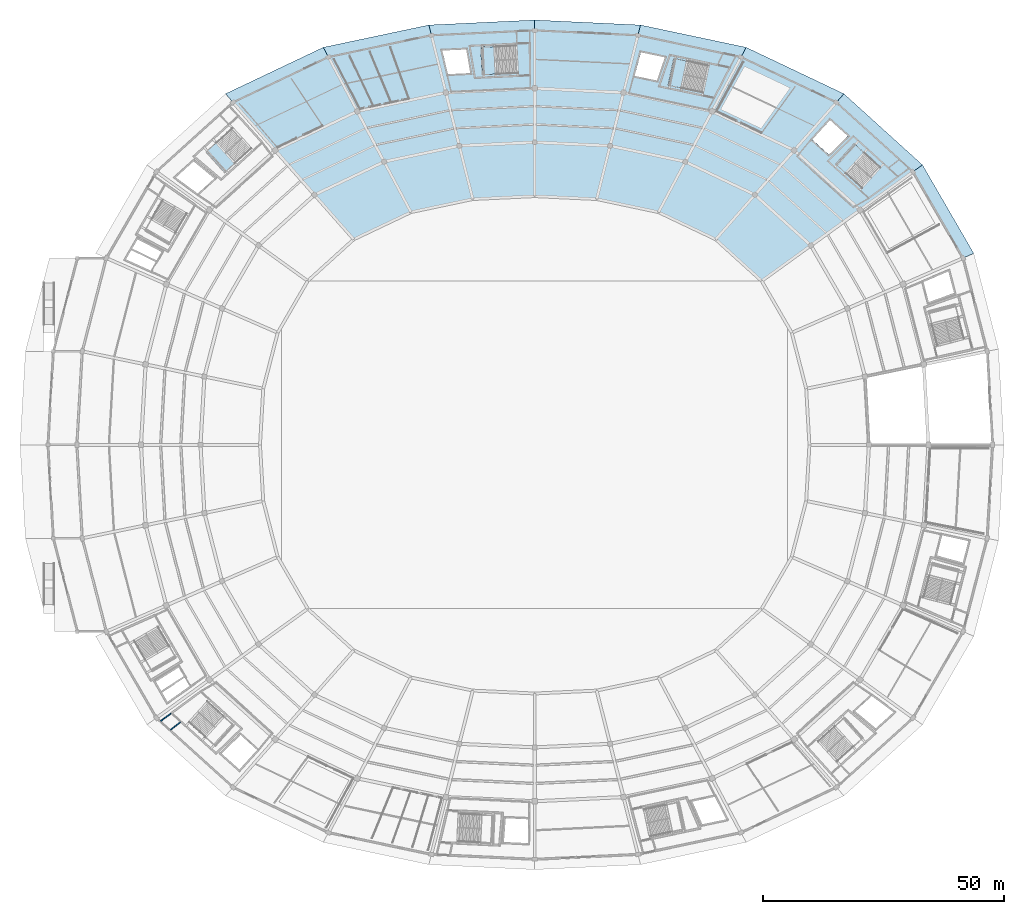
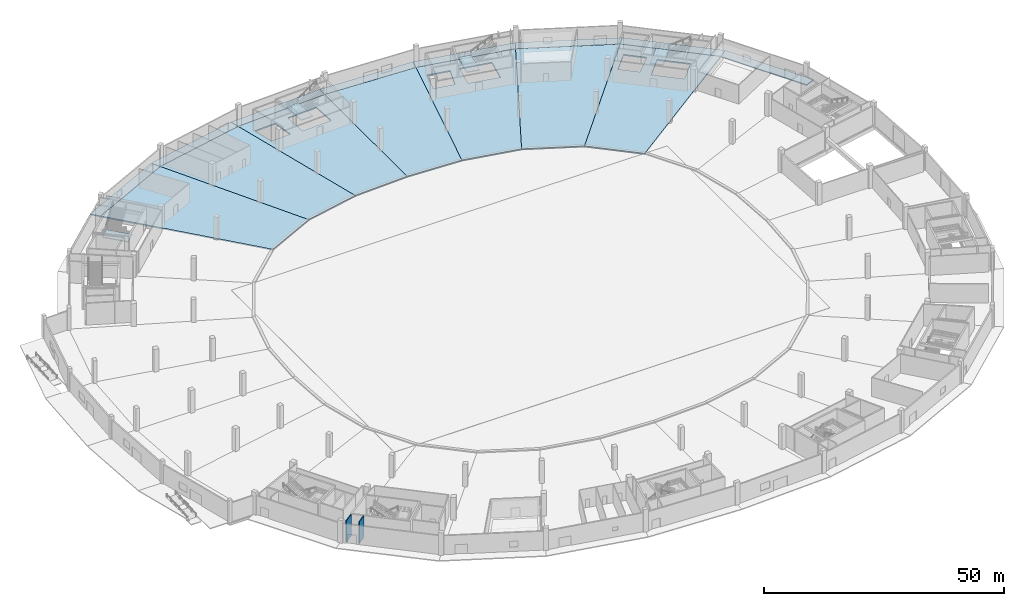
# One storey, part 8 of 48: 19 slabs, 2 walls, 4 elements without a shape of their own.
"""IFC4 building model written with IfcOpenShell, lengths in metres."""

from ifc_helpers import new_model, si_unit, direction, frame, frame_2d, origin, place, context, subcontext, project, spatial, polyline, rectangle, outline, extrude, material, layer, layer_set, type_object, element, aggregate, save


model = new_model("IFC4")

# Units and contexts
model_context = context("Model", 3, precision=1e-05, world=origin(), true_north=direction((0.0, 1.0)))
body_context = subcontext(model_context, "Body", "Model", "MODEL_VIEW")
ifc_project = project(units=[si_unit("LENGTHUNIT", "METRE"), si_unit("AREAUNIT", "SQUARE_METRE"), si_unit("VOLUMEUNIT", "CUBIC_METRE"), si_unit("PLANEANGLEUNIT", "RADIAN"), si_unit("MASSUNIT", "GRAM", prefix="KILO")], contexts=[model_context])

# Site, building, storey
site_placement = place(None, origin())
site = spatial("IfcSite", under=ifc_project, at=site_placement, CompositionType="ELEMENT")
building_placement = place(site_placement, origin())
building = spatial("IfcBuilding", under=site, at=building_placement, Name="Kazemori Nagisa Stadium", CompositionType="ELEMENT")
storey_placement = place(building_placement, origin())
storey = spatial("IfcBuildingStorey", under=building, at=storey_placement, Name="L00", CompositionType="ELEMENT", Elevation=0.0)

# Slabs
ifc_material = material(Name="Concrete C36/45 (Fc36)", Category="concrete")
ifc_layer_1 = layer(ifc_material, 0.25, Name="Concrete C36/45 (Fc36)", Category="concrete")
ifc_layer_set_1 = layer_set([ifc_layer_1], Name="Concrete C36/45 (Fc36)")
slab_type_1 = type_object("IfcSlabType", Name="Slab_SL-APRON-250", PredefinedType="FLOOR", material=ifc_layer_set_1)
slab_1_placement = place(storey_placement, frame((0.0, 0.0, -0.25)))
element("IfcSlab", 1, at=slab_1_placement, inside=storey, type_object=slab_type_1, Name="Exterior entrance plaza apron L00 bay 03", PredefinedType="FLOOR", context=body_context, shape_type="SweptSolid", body=[
    extrude(outline(polyline([(211.885009765625, 140.74951171875), (201.495361328125, 158.667724609375), (203.457763671875, 160.084228515625), (214.10693359375, 141.71826171875), (211.885009765625, 140.74951171875)])), origin(), (0.0, 0.0, 1.0), 0.25),
])
slab_2_placement = place(storey_placement, frame((0.0, 0.0, -0.25)))
element("IfcSlab", 2, at=slab_2_placement, inside=storey, type_object=slab_type_1, Name="Exterior entrance plaza apron L00 bay 04", PredefinedType="FLOOR", context=body_context, shape_type="SweptSolid", body=[
    extrude(outline(polyline([(201.495361328125, 158.667724609375), (185.597900390625, 173.05908203125), (187.162841796875, 174.83544921875), (203.457763671875, 160.084228515625), (201.495361328125, 158.667724609375)])), origin(), (0.0, 0.0, 1.0), 0.25),
])
slab_3_placement = place(storey_placement, frame((0.0, 0.0, -0.25)))
element("IfcSlab", 3, at=slab_3_placement, inside=storey, type_object=slab_type_1, Name="Exterior entrance plaza apron L00 bay 05", PredefinedType="FLOOR", context=body_context, shape_type="SweptSolid", body=[
    extrude(outline(polyline([(185.597900390625, 173.05908203125), (165.8046875, 182.46435546875), (166.874755859375, 184.475830078125), (187.162841796875, 174.83544921875), (185.597900390625, 173.05908203125)])), origin(), (0.0, 0.0, 1.0), 0.25),
])
slab_4_placement = place(storey_placement, frame((0.0, 0.0, -0.25)))
element("IfcSlab", 4, at=slab_4_placement, inside=storey, type_object=slab_type_1, Name="Exterior entrance plaza apron L00 bay 06", PredefinedType="FLOOR", context=body_context, shape_type="SweptSolid", body=[
    extrude(outline(polyline([(165.8046875, 182.46435546875), (144.427734375, 186.98681640625), (144.96337890625, 189.111572265625), (166.874755859375, 184.475830078125), (165.8046875, 182.46435546875)])), origin(), (0.0, 0.0, 1.0), 0.25),
])
slab_5_placement = place(storey_placement, frame((0.0, 0.0, -0.25)))
element("IfcSlab", 5, at=slab_5_placement, inside=storey, type_object=slab_type_1, Name="Exterior entrance plaza apron L00 bay 07", PredefinedType="FLOOR", context=body_context, shape_type="SweptSolid", body=[
    extrude(outline(polyline([(144.427734375, 186.98681640625), (123.0, 188.0), (123.0, 190.14990234375), (144.96337890625, 189.111572265625), (144.427734375, 186.98681640625)])), origin(), (0.0, 0.0, 1.0), 0.25),
])
slab_6_placement = place(storey_placement, frame((0.0, 0.0, -0.25)))
element("IfcSlab", 6, at=slab_6_placement, inside=storey, type_object=slab_type_1, Name="Exterior entrance plaza apron L00 bay 08", PredefinedType="FLOOR", context=body_context, shape_type="SweptSolid", body=[
    extrude(outline(polyline([(123.0, 188.0), (101.572265625, 186.98681640625), (101.03662109375, 189.111572265625), (123.0, 190.14990234375), (123.0, 188.0)])), origin(), (0.0, 0.0, 1.0), 0.25),
])
slab_7_placement = place(storey_placement, frame((0.0, 0.0, -0.25)))
element("IfcSlab", 7, at=slab_7_placement, inside=storey, type_object=slab_type_1, Name="Exterior entrance plaza apron L00 bay 09", PredefinedType="FLOOR", context=body_context, shape_type="SweptSolid", body=[
    extrude(outline(polyline([(101.572265625, 186.98681640625), (80.1953125, 182.46435546875), (79.125244140625, 184.475830078125), (101.03662109375, 189.111572265625), (101.572265625, 186.98681640625)])), origin(), (0.0, 0.0, 1.0), 0.25),
])
slab_8_placement = place(storey_placement, frame((0.0, 0.0, -0.25)))
element("IfcSlab", 8, at=slab_8_placement, inside=storey, type_object=slab_type_1, Name="Exterior entrance plaza apron L00 bay 10", PredefinedType="FLOOR", context=body_context, shape_type="SweptSolid", body=[
    extrude(outline(polyline([(80.1953125, 182.46435546875), (60.402099609375, 173.05908203125), (58.837158203125, 174.83544921875), (79.125244140625, 184.475830078125), (80.1953125, 182.46435546875)])), origin(), (0.0, 0.0, 1.0), 0.25),
])
ifc_layer_2 = layer(ifc_material, 0.300048828125, Name="Concrete C36/45 (Fc36)", Category="concrete")
ifc_layer_set_2 = layer_set([ifc_layer_2], Name="Concrete C36/45 (Fc36)")
slab_type_2 = type_object("IfcSlabType", Name="Slab_SL-L00-300", PredefinedType="FLOOR", material=ifc_layer_set_2)
slab_9_placement = place(storey_placement, frame((0.0, 0.0, -0.300048828125)))
element("IfcSlab", 9, at=slab_9_placement, inside=storey, type_object=slab_type_2, Name="Ground concourse slab L00 bay 04", PredefinedType="FLOOR", context=body_context, shape_type="SweptSolid", body=[
    extrude(outline(polyline([(170.09716796875, 136.00048828125), (160.558837890625, 144.635498046875), (185.597900390625, 173.05908203125), (201.495361328125, 158.667724609375), (170.09716796875, 136.00048828125)]), holes=[polyline([(190.87646484375, 155.334228515625), (185.616455078125, 160.095947265625), (189.44189453125, 164.321533203125), (194.70166015625, 159.56005859375), (190.87646484375, 155.334228515625)]), polyline([(184.043701171875, 162.204345703125), (180.594482421875, 165.32666015625), (184.289794921875, 169.3896484375), (187.960205078125, 166.06689453125), (184.043701171875, 162.204345703125)])]), origin(), (0.0, 0.0, 1.0), 0.300048828125),
])
slab_10_placement = place(storey_placement, frame((0.0, 0.0, -0.300048828125)))
element("IfcSlab", 10, at=slab_10_placement, inside=storey, type_object=slab_type_2, Name="Ground concourse slab L00 bay 05", PredefinedType="FLOOR", context=body_context, shape_type="SweptSolid", body=[
    extrude(outline(polyline([(160.558837890625, 144.635498046875), (148.682861328125, 150.278564453125), (165.8046875, 182.46435546875), (185.597900390625, 173.05908203125), (160.558837890625, 144.635498046875)])), origin(), (0.0, 0.0, 1.0), 0.300048828125),
])
slab_11_placement = place(storey_placement, frame((0.0, 0.0, -0.300048828125)))
element("IfcSlab", 11, at=slab_11_placement, inside=storey, type_object=slab_type_2, Name="Ground concourse slab L00 bay 06", PredefinedType="FLOOR", context=body_context, shape_type="SweptSolid", body=[
    extrude(outline(polyline([(148.682861328125, 150.278564453125), (135.856689453125, 152.9921875), (144.427734375, 186.98681640625), (165.8046875, 182.46435546875), (148.682861328125, 150.278564453125)]), holes=[polyline([(157.87890625, 175.08642578125), (150.9375, 176.554931640625), (152.1171875, 182.131591796875), (159.05859375, 180.6630859375), (157.87890625, 175.08642578125)]), polyline([(148.361328125, 177.560791015625), (143.723388671875, 178.5419921875), (145.052978515625, 183.452880859375), (149.988525390625, 182.40869140625), (148.361328125, 177.560791015625)])]), origin(), (0.0, 0.0, 1.0), 0.300048828125),
])
slab_12_placement = place(storey_placement, frame((0.0, 0.0, -0.300048828125)))
element("IfcSlab", 12, at=slab_12_placement, inside=storey, type_object=slab_type_2, Name="Ground concourse slab L00 bay 07", PredefinedType="FLOOR", context=body_context, shape_type="SweptSolid", body=[
    extrude(outline(polyline([(135.856689453125, 152.9921875), (123.0, 153.60009765625), (123.0, 188.0), (144.427734375, 186.98681640625), (135.856689453125, 152.9921875)])), origin(), (0.0, 0.0, 1.0), 0.300048828125),
])
slab_13_placement = place(storey_placement, frame((0.0, 0.0, -0.300048828125)))
element("IfcSlab", 13, at=slab_13_placement, inside=storey, type_object=slab_type_2, Name="Ground concourse slab L00 bay 08", PredefinedType="FLOOR", context=body_context, shape_type="SweptSolid", body=[
    extrude(outline(polyline([(123.0, 153.60009765625), (110.143310546875, 152.9921875), (101.572265625, 186.98681640625), (123.0, 188.0), (123.0, 153.60009765625)]), holes=[polyline([(119.452392578125, 179.138427734375), (112.365234375, 178.803466796875), (112.09619140625, 184.4970703125), (119.18310546875, 184.832275390625), (119.452392578125, 179.138427734375)]), polyline([(109.63427734375, 179.112060546875), (104.9853515625, 178.89208984375), (103.82958984375, 183.825439453125), (108.77685546875, 184.0595703125), (109.63427734375, 179.112060546875)])]), origin(), (0.0, 0.0, 1.0), 0.300048828125),
])
slab_14_placement = place(storey_placement, frame((0.0, 0.0, -0.300048828125)))
element("IfcSlab", 14, at=slab_14_placement, inside=storey, type_object=slab_type_2, Name="Ground concourse slab L00 bay 09", PredefinedType="FLOOR", context=body_context, shape_type="SweptSolid", body=[
    extrude(outline(polyline([(110.143310546875, 152.9921875), (97.317138671875, 150.278564453125), (80.1953125, 182.46435546875), (101.572265625, 186.98681640625), (110.143310546875, 152.9921875)])), origin(), (0.0, 0.0, 1.0), 0.300048828125),
])
slab_15_placement = place(storey_placement, frame((0.0, 0.0, -0.300048828125)))
element("IfcSlab", 15, at=slab_15_placement, inside=storey, type_object=slab_type_2, Name="Ground concourse slab L00 bay 10", PredefinedType="FLOOR", context=body_context, shape_type="SweptSolid", body=[
    extrude(outline(polyline([(97.317138671875, 150.278564453125), (85.441162109375, 144.635498046875), (60.402099609375, 173.05908203125), (80.1953125, 182.46435546875), (97.317138671875, 150.278564453125)])), origin(), (0.0, 0.0, 1.0), 0.300048828125),
])

# Stair, slab
stair_type = type_object("IfcStairType", Name="Stair_CORE_34", PredefinedType="TWO_STRAIGHT_RUN_STAIR", material=ifc_material)
stair_1_placement = place(storey_placement, origin())
stair_1 = element("IfcStair", 16, at=stair_1_placement, inside=storey, type_object=stair_type, Name="Exit stair ST01 L00", PredefinedType="TWO_STRAIGHT_RUN_STAIR")
ifc_layer_3 = layer(ifc_material, 0.199951171875, Name="Concrete C36/45 (Fc36)", Category="concrete")
ifc_layer_set_3 = layer_set([ifc_layer_3], Name="Concrete C36/45 (Fc36)")
slab_type_3 = type_object("IfcSlabType", Name="Slab_SL-LND-200", PredefinedType="LANDING", material=ifc_layer_set_3)
slab_16_placement = place(storey_placement, frame((0.0, 0.0, 2.68994140625)))
slab_16 = element("IfcSlab", 17, at=slab_16_placement, type_object=slab_type_3, Name="Exit stair ST01 L00 mid-landing", PredefinedType="LANDING", context=body_context, shape_type="SweptSolid", body=[
    extrude(outline(polyline([(187.51806640625, 158.37451171875), (185.4052734375, 160.287109375), (189.230712890625, 164.5126953125), (191.343505859375, 162.60009765625), (187.51806640625, 158.37451171875)])), origin(), (0.0, 0.0, 1.0), 0.199951171875),
])
aggregate(stair_1, [slab_16])

stair_2_placement = place(storey_placement, origin())
stair_2 = element("IfcStair", 18, at=stair_2_placement, inside=storey, type_object=stair_type, Name="Exit stair ST11 L00", PredefinedType="TWO_STRAIGHT_RUN_STAIR")
slab_17_placement = place(storey_placement, frame((0.0, 0.0, 2.68994140625)))
slab_17 = element("IfcSlab", 19, at=slab_17_placement, type_object=slab_type_3, Name="Exit stair ST11 L00 mid-landing", PredefinedType="LANDING", context=body_context, shape_type="SweptSolid", body=[
    extrude(outline(polyline([(153.447021484375, 176.024169921875), (150.65869140625, 176.614013671875), (151.83837890625, 182.190673828125), (154.626708984375, 181.6005859375), (153.447021484375, 176.024169921875)])), origin(), (0.0, 0.0, 1.0), 0.199951171875),
])
aggregate(stair_2, [slab_17])

stair_3_placement = place(storey_placement, origin())
stair_3 = element("IfcStair", 20, at=stair_3_placement, inside=storey, type_object=stair_type, Name="Exit stair ST05 L00", PredefinedType="TWO_STRAIGHT_RUN_STAIR")
slab_18_placement = place(storey_placement, frame((0.0, 0.0, 2.68994140625)))
slab_18 = element("IfcSlab", 21, at=slab_18_placement, type_object=slab_type_3, Name="Exit stair ST05 L00 mid-landing", PredefinedType="LANDING", context=body_context, shape_type="SweptSolid", body=[
    extrude(outline(polyline([(114.927490234375, 178.924560546875), (112.08056640625, 178.7900390625), (111.8115234375, 184.483642578125), (114.658203125, 184.6181640625), (114.927490234375, 178.924560546875)])), origin(), (0.0, 0.0, 1.0), 0.199951171875),
])
aggregate(stair_3, [slab_18])

stair_4_placement = place(storey_placement, origin())
stair_4 = element("IfcStair", 22, at=stair_4_placement, inside=storey, type_object=stair_type, Name="Exit stair ST02 L00", PredefinedType="TWO_STRAIGHT_RUN_STAIR")
slab_19_placement = place(storey_placement, frame((0.0, 0.0, 2.68994140625)))
slab_19 = element("IfcSlab", 23, at=slab_19_placement, type_object=slab_type_3, Name="Exit stair ST02 L00 mid-landing", PredefinedType="LANDING", context=body_context, shape_type="SweptSolid", body=[
    extrude(outline(polyline([(60.762939453125, 160.439208984375), (58.64990234375, 158.526611328125), (54.82470703125, 162.752197265625), (56.9375, 164.6650390625), (60.762939453125, 160.439208984375)])), origin(), (0.0, 0.0, 1.0), 0.199951171875),
])
aggregate(stair_4, [slab_19])

# Walls
ifc_layer_4 = layer(ifc_material, 0.219970703125, Name="Concrete C36/45 (Fc36)", Category="concrete")
ifc_layer_set_4 = layer_set([ifc_layer_4], Name="Concrete C36/45 (Fc36)")
wall_type = type_object("IfcWallType", Name="Wall_W-LOBBY-220", PredefinedType="SOLIDWALL", material=ifc_layer_set_4)
wall_1_placement = place(storey_placement, frame((47.505859375, 46.2421875, 0.0), z_axis=(0.0, 0.0, 1.0), x_axis=(-0.804407162525, -0.59407837604, 0.0)))
element("IfcWall", 24, at=wall_1_placement, inside=storey, type_object=wall_type, Name="Exit passage left fire wall ST03 L00", PredefinedType="SOLIDWALL", context=body_context, shape_type="SweptSolid", body=[
    extrude(rectangle(XDim=2.61279296875, YDim=0.219970703125, at=frame_2d((1.306396484375, 0.0))), origin(), (0.0, 0.0, 1.0), 5.5),
])
wall_2_placement = place(storey_placement, frame((49.4755859375, 44.4580078125, 0.0), z_axis=(0.0, 0.0, 1.0), x_axis=(-0.787481201748, -0.616338670613, 0.0)))
element("IfcWall", 25, at=wall_2_placement, inside=storey, type_object=wall_type, Name="Exit passage right fire wall ST03 L00", PredefinedType="SOLIDWALL", context=body_context, shape_type="SweptSolid", body=[
    extrude(rectangle(XDim=2.59765625, YDim=0.219970703125, at=frame_2d((1.298828125, 0.0))), origin(), (0.0, 0.0, 1.0), 5.5),
])

save(model, "model.ifc")
